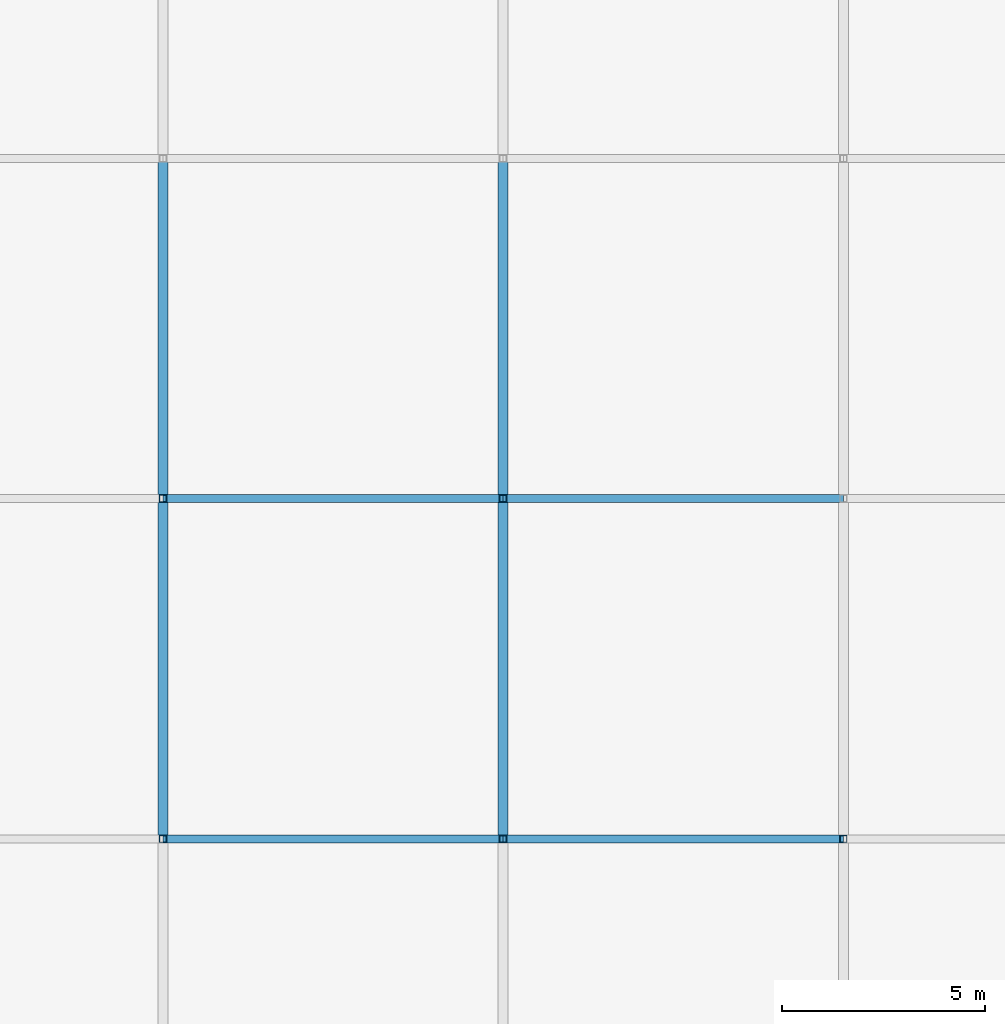
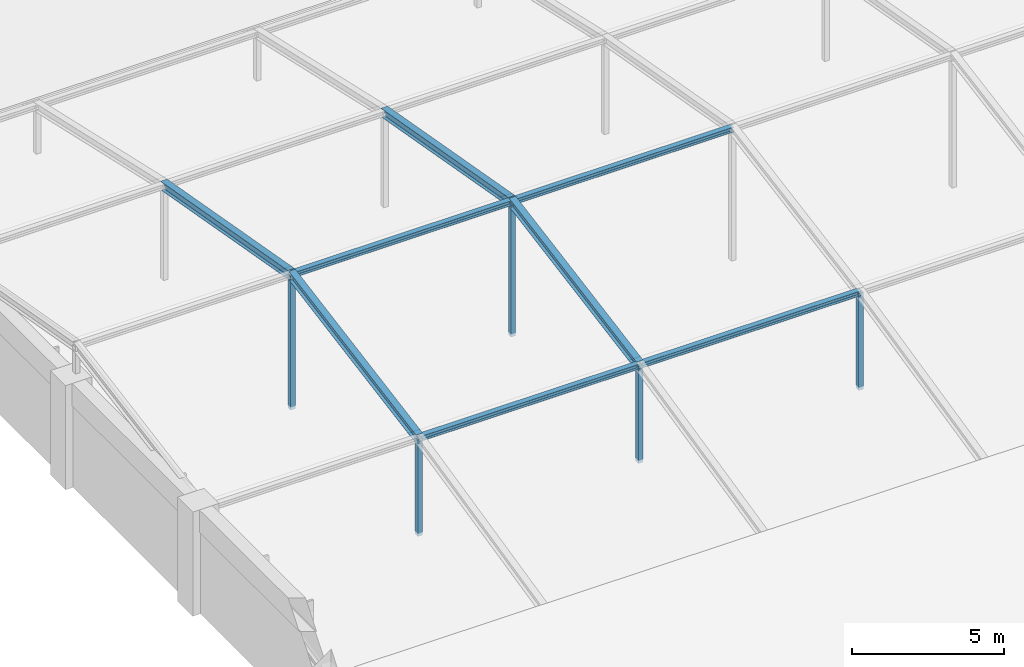
# One storey, part 10 of 34: 13 members.
"""IFC4 building model written with IfcOpenShell, lengths in metres."""

from ifc_helpers import new_model, si_unit, direction, frame, origin, origin_2d, place, context, subcontext, project, spatial, hollow_rectangle, i_section, extrude, material, material_profile, profile_set, type_object, element, save


model = new_model("IFC4")

# Units and contexts
model_context = context("Model", 3, precision=1e-05, world=origin(), true_north=direction((0.0, 1.0)))
body_context = subcontext(model_context, "Body", "Model", "MODEL_VIEW")
ifc_project = project(units=[si_unit("LENGTHUNIT", "METRE"), si_unit("AREAUNIT", "SQUARE_METRE"), si_unit("VOLUMEUNIT", "CUBIC_METRE"), si_unit("PLANEANGLEUNIT", "RADIAN"), si_unit("MASSUNIT", "GRAM", prefix="KILO")], contexts=[model_context])

# Site, building, storey
site_placement = place(None, origin())
site = spatial("IfcSite", under=ifc_project, at=site_placement, CompositionType="ELEMENT")
building_placement = place(site_placement, origin())
building = spatial("IfcBuilding", under=site, at=building_placement, Name="Xuanlan Plaza Opera House", CompositionType="ELEMENT")
storey_placement = place(building_placement, frame((0.0, 0.0, 27.89990234375)))
storey = spatial("IfcBuildingStorey", under=building, at=storey_placement, Name="L06", CompositionType="ELEMENT", Elevation=27.89990234375)

# Members
ifc_material = material(Name="Steel Q355B", Category="steel")
ifc_material_profile_1 = material_profile(ifc_material, hollow_rectangle(XDim=0.179931640625, YDim=0.179931640625, WallThickness=0.010009765625, at=origin_2d()), Name="SHS 180x180x10")
ifc_profile_set_1 = profile_set([ifc_material_profile_1], Name="Steel Q355B")
member_type_1 = type_object("IfcMemberType", Name="STR-MEM-ST-M2", PredefinedType="STRUT", material=ifc_profile_set_1)
member_1_placement = place(storey_placement, frame((75.60009765625, 50.39990234375, -0.119873046875), z_axis=(0.0, 0.0, 1.0), x_axis=(1.0, 0.0, 0.0)))
element("IfcMember", 1, at=member_1_placement, inside=storey, type_object=member_type_1, Name="Auditorium Vault Arch Post 02-2", PredefinedType="STRUT", context=body_context, shape_type="SweptSolid", body=[
    extrude(hollow_rectangle(XDim=0.179931640625, YDim=0.179931640625, WallThickness=0.010009765625, at=origin_2d()), origin(), (0.0, 0.0, 1.0), 3.89990234375),
])
member_2_placement = place(storey_placement, frame((75.60009765625, 58.800048828125, -0.119873046875), z_axis=(0.0, 0.0, 1.0), x_axis=(1.0, 0.0, 0.0)))
element("IfcMember", 2, at=member_2_placement, inside=storey, type_object=member_type_1, Name="Auditorium Vault Arch Post 02-3", PredefinedType="STRUT", context=body_context, shape_type="SweptSolid", body=[
    extrude(hollow_rectangle(XDim=0.179931640625, YDim=0.179931640625, WallThickness=0.010009765625, at=origin_2d()), origin(), (0.0, 0.0, 1.0), 5.39990234375),
])
member_3_placement = place(storey_placement, frame((84.0, 50.39990234375, -0.119873046875), z_axis=(0.0, 0.0, 1.0), x_axis=(1.0, 0.0, 0.0)))
element("IfcMember", 3, at=member_3_placement, inside=storey, type_object=member_type_1, Name="Auditorium Vault Arch Post 03-2", PredefinedType="STRUT", context=body_context, shape_type="SweptSolid", body=[
    extrude(hollow_rectangle(XDim=0.179931640625, YDim=0.179931640625, WallThickness=0.010009765625, at=origin_2d()), origin(), (0.0, 0.0, 1.0), 3.89990234375),
])
member_4_placement = place(storey_placement, frame((84.0, 58.800048828125, -0.119873046875), z_axis=(0.0, 0.0, 1.0), x_axis=(1.0, 0.0, 0.0)))
element("IfcMember", 4, at=member_4_placement, inside=storey, type_object=member_type_1, Name="Auditorium Vault Arch Post 03-3", PredefinedType="STRUT", context=body_context, shape_type="SweptSolid", body=[
    extrude(hollow_rectangle(XDim=0.179931640625, YDim=0.179931640625, WallThickness=0.010009765625, at=origin_2d()), origin(), (0.0, 0.0, 1.0), 5.39990234375),
])
member_5_placement = place(storey_placement, frame((92.39990234375, 50.39990234375, -0.119873046875), z_axis=(0.0, 0.0, 1.0), x_axis=(1.0, 0.0, 0.0)))
element("IfcMember", 5, at=member_5_placement, inside=storey, type_object=member_type_1, Name="Auditorium Vault Arch Post 04-2", PredefinedType="STRUT", context=body_context, shape_type="SweptSolid", body=[
    extrude(hollow_rectangle(XDim=0.179931640625, YDim=0.179931640625, WallThickness=0.010009765625, at=origin_2d()), origin(), (0.0, 0.0, 1.0), 3.89990234375),
])
ifc_material_profile_2 = material_profile(ifc_material, i_section(OverallWidth=0.25, OverallDepth=0.340087890625, WebThickness=0.009033203125, FlangeThickness=0.013916015625, FilletRadius=0.01611328125, at=origin_2d()), Name="HM 340x250x9x14")
ifc_profile_set_2 = profile_set([ifc_material_profile_2], Name="Steel Q355B")
member_type_2 = type_object("IfcMemberType", Name="STR-MEM-TC-01", PredefinedType="CHORD", material=ifc_profile_set_2)
member_6_placement = place(storey_placement, frame((75.60009765625, 50.39990234375, 3.780029296875), z_axis=(0.0, 0.984428105997, 0.17578766772), x_axis=(-1.0, 0.0, 0.0)))
element("IfcMember", 6, at=member_6_placement, inside=storey, type_object=member_type_2, Name="Auditorium Parabolic Vault Arch Chord 02-3", PredefinedType="CHORD", context=body_context, shape_type="SweptSolid", body=[
    extrude(i_section(OverallWidth=0.25, OverallDepth=0.340087890625, WebThickness=0.009033203125, FlangeThickness=0.013916015625, FilletRadius=0.01611328125, at=origin_2d()), origin(), (0.0, 0.0, 1.0), 8.532958984375),
])
member_7_placement = place(storey_placement, frame((75.60009765625, 58.800048828125, 5.280029296875), z_axis=(0.0, 0.984427221834, -0.175792619048), x_axis=(-1.0, 0.0, 0.0)))
element("IfcMember", 7, at=member_7_placement, inside=storey, type_object=member_type_2, Name="Auditorium Parabolic Vault Arch Chord 02-4", PredefinedType="CHORD", context=body_context, shape_type="SweptSolid", body=[
    extrude(i_section(OverallWidth=0.25, OverallDepth=0.340087890625, WebThickness=0.009033203125, FlangeThickness=0.013916015625, FilletRadius=0.01611328125, at=origin_2d()), origin(), (0.0, 0.0, 1.0), 8.53271484375),
])
member_8_placement = place(storey_placement, frame((84.0, 50.39990234375, 3.780029296875), z_axis=(0.0, 0.984428105997, 0.17578766772), x_axis=(-1.0, 0.0, 0.0)))
element("IfcMember", 8, at=member_8_placement, inside=storey, type_object=member_type_2, Name="Auditorium Parabolic Vault Arch Chord 03-3", PredefinedType="CHORD", context=body_context, shape_type="SweptSolid", body=[
    extrude(i_section(OverallWidth=0.25, OverallDepth=0.340087890625, WebThickness=0.009033203125, FlangeThickness=0.013916015625, FilletRadius=0.01611328125, at=origin_2d()), origin(), (0.0, 0.0, 1.0), 8.532958984375),
])
member_9_placement = place(storey_placement, frame((84.0, 58.800048828125, 5.280029296875), z_axis=(0.0, 0.984427221834, -0.175792619048), x_axis=(-1.0, 0.0, 0.0)))
element("IfcMember", 9, at=member_9_placement, inside=storey, type_object=member_type_2, Name="Auditorium Parabolic Vault Arch Chord 03-4", PredefinedType="CHORD", context=body_context, shape_type="SweptSolid", body=[
    extrude(i_section(OverallWidth=0.25, OverallDepth=0.340087890625, WebThickness=0.009033203125, FlangeThickness=0.013916015625, FilletRadius=0.01611328125, at=origin_2d()), origin(), (0.0, 0.0, 1.0), 8.53271484375),
])
ifc_material_profile_3 = material_profile(ifc_material, i_section(OverallWidth=0.199951171875, OverallDepth=0.199951171875, WebThickness=0.008056640625, FlangeThickness=0.011962890625, FilletRadius=0.012939453125, at=origin_2d()), Name="HW 200x200x8x12")
ifc_profile_set_3 = profile_set([ifc_material_profile_3], Name="Steel Q355B")
member_type_3 = type_object("IfcMemberType", Name="STR-MEM-TC-02", PredefinedType="CHORD", material=ifc_profile_set_3)
for number, where, z_axis, x_axis, name in (
    (10, (75.60009765625, 50.39990234375, 3.780029296875), (1.0, 0.0, 0.0), (0.0, 1.0, 0.0), "Auditorium Vault Longitudinal Chord 02-2"),
    (11, (75.60009765625, 58.800048828125, 5.280029296875), (1.0, 0.0, 0.0), (0.0, 1.0, 0.0), "Auditorium Vault Longitudinal Chord 02-3"),
    (12, (84.0, 50.39990234375, 3.780029296875), (1.0, 0.0, 0.0), (0.0, 1.0, 0.0), "Auditorium Vault Longitudinal Chord 03-2"),
    (13, (84.0, 58.800048828125, 5.280029296875), (1.0, 0.0, 0.0), (0.0, 1.0, 0.0), "Auditorium Vault Longitudinal Chord 03-3"),
):
    element("IfcMember", number, at=place(storey_placement, frame(where, z_axis=z_axis, x_axis=x_axis)), inside=storey, type_object=member_type_3, Name=name, PredefinedType="CHORD", context=body_context, shape_type="SweptSolid", body=[
        extrude(i_section(OverallWidth=0.199951171875, OverallDepth=0.199951171875, WebThickness=0.008056640625, FlangeThickness=0.011962890625, FilletRadius=0.012939453125, at=origin_2d()), origin(), (0.0, 0.0, 1.0), 8.39990234375),
    ])

save(model, "model.ifc")
